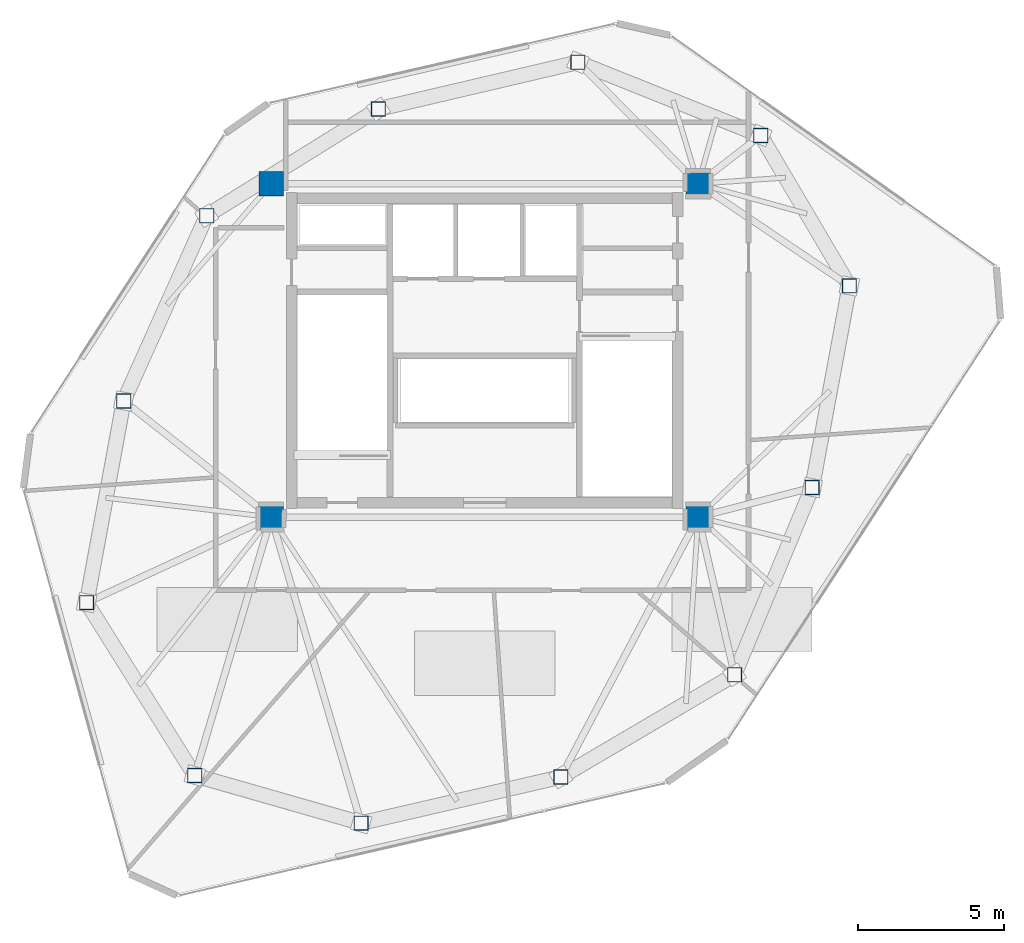
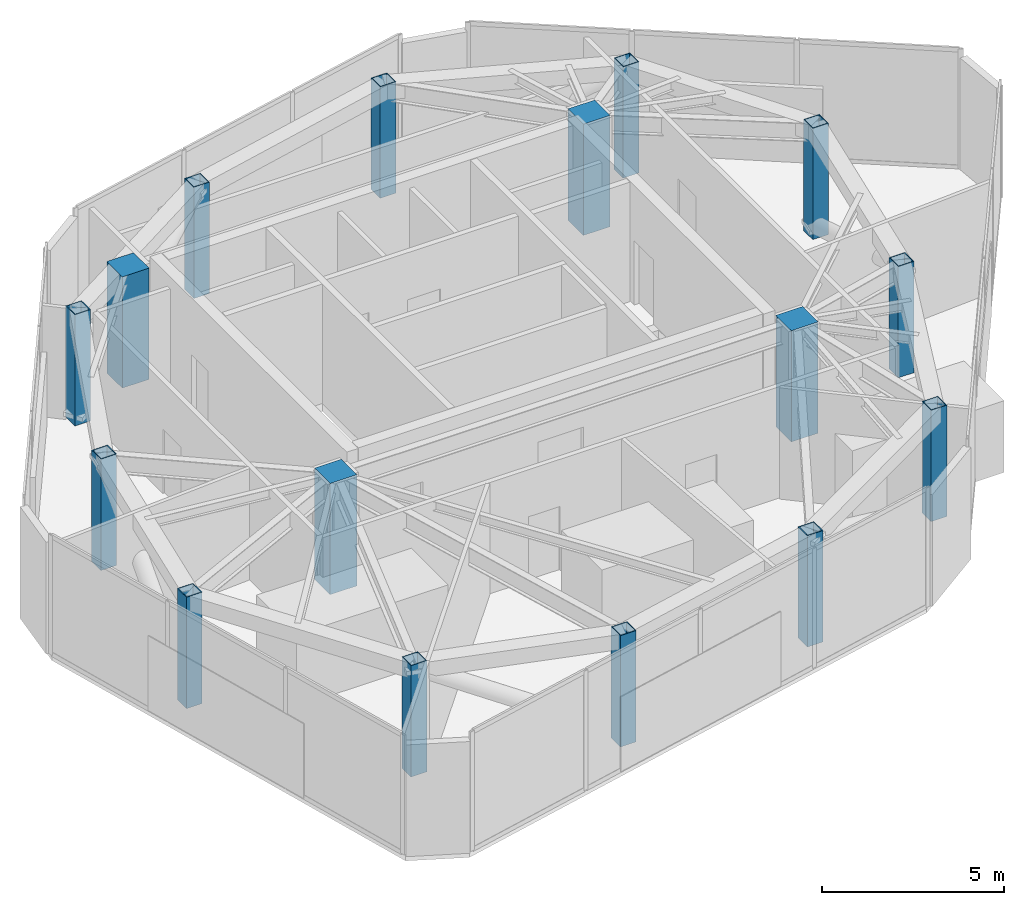
# One storey, part 1 of 20: 16 columns.
"""IFC4 building model written with IfcOpenShell, lengths in metres."""

from ifc_helpers import new_model, si_unit, direction, frame, origin, origin_2d, place, context, subcontext, project, spatial, rectangle, hollow_rectangle, extrude, material, material_profile, profile_set, type_object, element, save


model = new_model("IFC4")

# Units and contexts
model_context = context("Model", 3, precision=1e-05, world=origin(), true_north=direction((0.0, 1.0)))
body_context = subcontext(model_context, "Body", "Model", "MODEL_VIEW")
ifc_project = project(units=[si_unit("LENGTHUNIT", "METRE"), si_unit("AREAUNIT", "SQUARE_METRE"), si_unit("VOLUMEUNIT", "CUBIC_METRE"), si_unit("PLANEANGLEUNIT", "RADIAN"), si_unit("MASSUNIT", "GRAM", prefix="KILO")], contexts=[model_context])

# Site, building, storey
site_placement = place(None, origin())
site = spatial("IfcSite", under=ifc_project, at=site_placement, CompositionType="ELEMENT")
building_placement = place(site_placement, origin())
building = spatial("IfcBuilding", under=site, at=building_placement, Name="Talar Marvaseh", CompositionType="ELEMENT")
storey_placement = place(building_placement, frame((0.0, 0.0, 312.0)))
storey = spatial("IfcBuildingStorey", under=building, at=storey_placement, Name="L83", CompositionType="ELEMENT", Elevation=312.0)

# Columns
ifc_material_1 = material(Name="Steel S460", Category="steel")
ifc_material_profile_1 = material_profile(ifc_material_1, hollow_rectangle(XDim=0.5, YDim=0.5, WallThickness=0.02490234375, at=origin_2d()), Name="BOX500x500x25")
ifc_profile_set_1 = profile_set([ifc_material_profile_1], Name="Steel S460")
column_type_1 = type_object("IfcColumnType", Name="Crown Frame Structural Column BOX500x500x25", PredefinedType="COLUMN", material=ifc_profile_set_1)
for number, where, z_axis, x_axis, name in (
    (1, (12.388916015625, 22.576904296875, 0.0), (0.0, 0.0, 1.0), (1.0, 0.0, 0.0), "L83 Crown Frame Structural Column BOX500x500x25"),
    (2, (13.657958984375, 29.469970703125, 0.0), (0.0, 0.0, 1.0), (1.0, 0.0, 0.0), "L83 Crown Frame Structural Column BOX500x500x25"),
    (3, (16.493896484375, 35.806884765625, 0.0), (0.0, 0.0, 1.0), (1.0, 0.0, 0.0), "L83 Crown Frame Structural Column BOX500x500x25"),
    (4, (22.364990234375, 39.4541015625, 0.0), (0.0, 0.0, 1.0), (1.0, 0.0, 0.0), "L83 Crown Frame Structural Column BOX500x500x25"),
    (5, (29.18798828125, 41.052001953125, 0.0), (0.0, 0.0, 1.0), (1.0, 0.0, 0.0), "L83 Crown Frame Structural Column BOX500x500x25"),
    (6, (35.43798828125, 38.551025390625, 0.0), (0.0, 0.0, 1.0), (1.0, 0.0, 0.0), "L83 Crown Frame Structural Column BOX500x500x25"),
    (7, (38.470947265625, 33.406005859375, 0.0), (0.0, 0.0, 1.0), (1.0, 0.0, 0.0), "L83 Crown Frame Structural Column BOX500x500x25"),
    (8, (37.197021484375, 26.513916015625, 0.0), (0.0, 0.0, 1.0), (1.0, 0.0, 0.0), "L83 Crown Frame Structural Column BOX500x500x25"),
    (9, (34.5439453125, 20.111083984375, 0.0), (0.0, 0.0, 1.0), (1.0, 0.0, 0.0), "L83 Crown Frame Structural Column BOX500x500x25"),
    (10, (28.60498046875, 16.616943359375, 0.0), (0.0, 0.0, 1.0), (1.0, 0.0, 0.0), "L83 Crown Frame Structural Column BOX500x500x25"),
    (11, (21.77587890625, 15.0400390625, 0.0), (0.0, 0.0, 1.0), (1.0, 0.0, 0.0), "L83 Crown Frame Structural Column BOX500x500x25"),
    (12, (16.0869140625, 16.66796875, 0.0), (0.0, 0.0, 1.0), (1.0, 0.0, 0.0), "L83 Crown Frame Structural Column BOX500x500x25"),
):
    element("IfcColumn", number, at=place(storey_placement, frame(where, z_axis=z_axis, x_axis=x_axis)), inside=storey, type_object=column_type_1, Name=name, PredefinedType="COLUMN", context=body_context, shape_type="SweptSolid", body=[
        extrude(hollow_rectangle(XDim=0.5, YDim=0.5, WallThickness=0.02490234375, at=origin_2d()), origin(), (0.0, 0.0, 1.0), 3.72509765625),
    ])
ifc_material_2 = material(Name="Concrete C50/60", Category="concrete")
ifc_material_profile_2 = material_profile(ifc_material_2, rectangle(XDim=0.85009765625, YDim=0.85009765625, at=origin_2d()), Name="RC850x850")
ifc_profile_set_2 = profile_set([ifc_material_profile_2], Name="Concrete C50/60")
column_type_2 = type_object("IfcColumnType", Name="Zone 4 Tube Column RC850x850", PredefinedType="COLUMN", material=ifc_profile_set_2)
for number, where, z_axis, x_axis, name in (
    (13, (18.699951171875, 25.5, 0.0), (0.0, 0.0, 1.0), (1.0, 0.0, 0.0), "L83 Zone 4 Tube Column RC850x850"),
    (14, (33.300048828125, 25.5, 0.0), (0.0, 0.0, 1.0), (1.0, 0.0, 0.0), "L83 Zone 4 Tube Column RC850x850"),
    (15, (33.300048828125, 36.89990234375, 0.0), (0.0, 0.0, 1.0), (1.0, 0.0, 0.0), "L83 Zone 4 Tube Column RC850x850"),
    (16, (18.699951171875, 36.89990234375, 0.0), (0.0, 0.0, 1.0), (1.0, 0.0, 0.0), "L83 Zone 4 Tube Column RC850x850"),
):
    element("IfcColumn", number, at=place(storey_placement, frame(where, z_axis=z_axis, x_axis=x_axis)), inside=storey, type_object=column_type_2, Name=name, PredefinedType="COLUMN", context=body_context, shape_type="SweptSolid", body=[
        extrude(rectangle(XDim=0.85009765625, YDim=0.85009765625, at=origin_2d()), origin(), (0.0, 0.0, 1.0), 3.72509765625),
    ])

save(model, "model.ifc")
